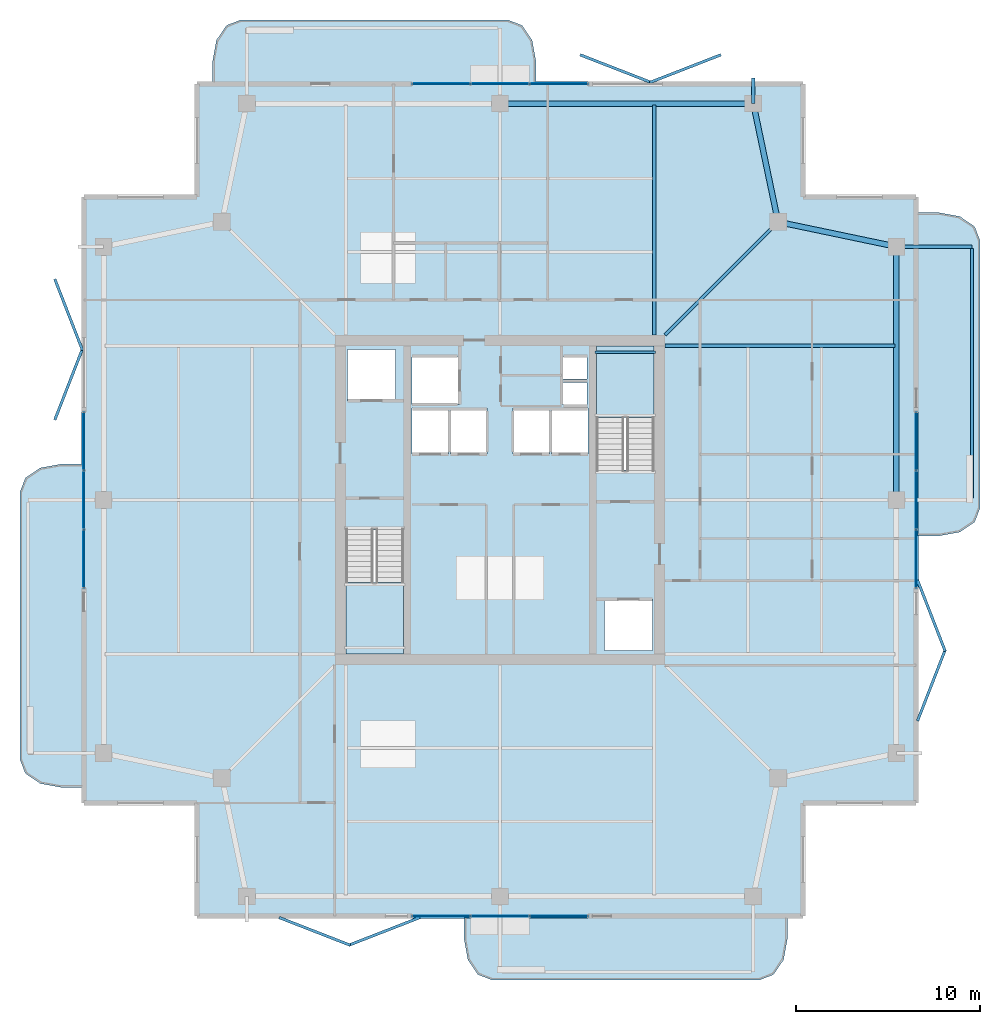
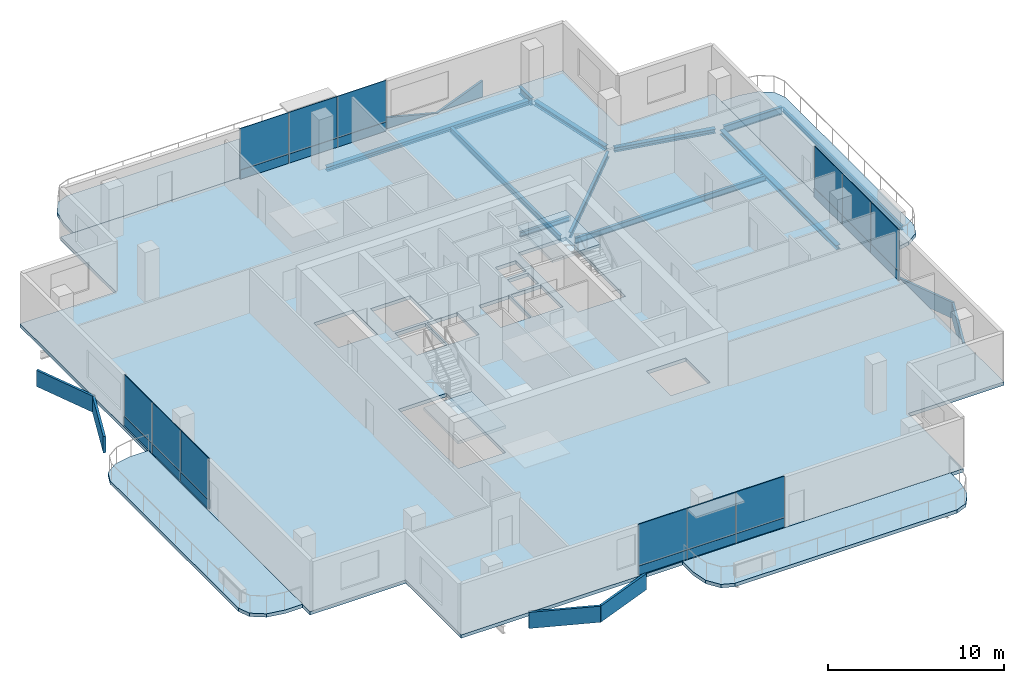
# One storey, part 11 of 18: 32 plates, 11 beams, 7 slabs, 6 elements without a shape of their own.
"""IFC4 building model written with IfcOpenShell, lengths in metres."""

from ifc_helpers import new_model, si_unit, direction, frame, origin, origin_2d, place, context, subcontext, project, spatial, polyline, rectangle, i_section, outline, extrude, material, layer, layer_set, material_profile, profile_set, type_object, element, aggregate, save


model = new_model("IFC4")

# Units and contexts
model_context = context("Model", 3, precision=1e-05, world=origin(), true_north=direction((0.0, 1.0)))
body_context = subcontext(model_context, "Body", "Model", "MODEL_VIEW")
ifc_project = project(units=[si_unit("LENGTHUNIT", "METRE"), si_unit("AREAUNIT", "SQUARE_METRE"), si_unit("VOLUMEUNIT", "CUBIC_METRE"), si_unit("PLANEANGLEUNIT", "RADIAN"), si_unit("MASSUNIT", "GRAM", prefix="KILO")], contexts=[model_context])

# Site, building, storey
site_placement = place(None, origin())
site = spatial("IfcSite", under=ifc_project, at=site_placement, CompositionType="ELEMENT")
building_placement = place(site_placement, origin())
building = spatial("IfcBuilding", under=site, at=building_placement, Name="Belovzor Exchange Tower", CompositionType="ELEMENT")
storey_placement = place(building_placement, frame((0.0, 0.0, 318.0)))
storey = spatial("IfcBuildingStorey", under=building, at=storey_placement, Name="L79", CompositionType="ELEMENT", Elevation=318.0)

# Beams
ifc_material_1 = material(Name="Steel S355", Category="steel")
ifc_material_profile_1 = material_profile(ifc_material_1, i_section(OverallWidth=0.199951171875, OverallDepth=0.5, WebThickness=0.01025390625, FlangeThickness=0.01611328125, at=origin_2d()))
ifc_profile_set_1 = profile_set([ifc_material_profile_1], Name="Steel S355")
beam_type_1 = type_object("IfcBeamType", Name="Planted Balcony Cantilever Beam IPE 500", PredefinedType="BEAM", material=ifc_profile_set_1)
beam_1_placement = place(storey_placement, frame((50.660888671875, 42.60009765625, -0.489990234375), z_axis=(1.0, 0.0, 0.0), x_axis=(0.0, 1.0, 0.0)))
element("IfcBeam", 1, at=beam_1_placement, inside=storey, type_object=beam_type_1, Name="BC-500 Planted Balcony Cantilever Beam IPE 500", PredefinedType="BEAM", context=body_context, shape_type="SweptSolid", body=[
    extrude(i_section(OverallWidth=0.199951171875, OverallDepth=0.5, WebThickness=0.01025390625, FlangeThickness=0.01611328125, at=origin_2d()), origin(), (0.0, 0.0, 1.0), 3.85009765625),
])
beam_2_placement = place(storey_placement, frame((42.60009765625, 50.39990234375, -0.489990234375), z_axis=(0.0, 1.0, 0.0), x_axis=(-1.0, 0.0, 0.0)))
element("IfcBeam", 2, at=beam_2_placement, inside=storey, type_object=beam_type_1, Name="BC-500 Planted Balcony Cantilever Beam IPE 500", PredefinedType="BEAM", context=body_context, shape_type="SweptSolid", body=[
    extrude(i_section(OverallWidth=0.199951171875, OverallDepth=0.5, WebThickness=0.01025390625, FlangeThickness=0.01611328125, at=origin_2d()), origin(), (0.0, 0.0, 1.0), 1.400146484375),
])
ifc_material_2 = material(Name="Steel S355", Category="steel")
ifc_material_profile_2 = material_profile(ifc_material_2, i_section(OverallWidth=0.14990234375, OverallDepth=0.300048828125, WebThickness=0.007080078125, FlangeThickness=0.0107421875, at=origin_2d()))
ifc_profile_set_2 = profile_set([ifc_material_profile_2], Name="Steel S355")
beam_type_2 = type_object("IfcBeamType", Name="Planted Balcony Fascia Edge Beam IPE 300", PredefinedType="BEAM", material=ifc_profile_set_2)
beam_3_placement = place(storey_placement, frame((54.510986328125, 28.89990234375, -0.389892578125), z_axis=(0.0, 1.0, 0.0), x_axis=(-1.0, 0.0, 0.0)))
element("IfcBeam", 3, at=beam_3_placement, inside=storey, type_object=beam_type_2, Name="BC-300 Planted Balcony Fascia Edge Beam IPE 300", PredefinedType="BEAM", context=body_context, shape_type="SweptSolid", body=[
    extrude(i_section(OverallWidth=0.14990234375, OverallDepth=0.300048828125, WebThickness=0.007080078125, FlangeThickness=0.0107421875, at=origin_2d()), origin(), (0.0, 0.0, 1.0), 13.60009765625),
])
ifc_material_3 = material(Name="Steel S355", Category="steel")
ifc_material_profile_3 = material_profile(ifc_material_3, i_section(OverallWidth=0.14990234375, OverallDepth=0.300048828125, WebThickness=0.007080078125, FlangeThickness=0.0107421875, at=origin_2d()))
ifc_profile_set_3 = profile_set([ifc_material_profile_3], Name="Steel S355")
beam_type_3 = type_object("IfcBeamType", Name="Secondary Trim Floor Joist IPE 300", PredefinedType="BEAM", material=ifc_profile_set_3)
beam_4_placement = place(storey_placement, frame((37.280029296875, 36.85009765625, 1.52490234375), z_axis=(-1.0, 0.0, 0.0), x_axis=(0.0, -1.0, 0.0)))
element("IfcBeam", 4, at=beam_4_placement, inside=storey, type_object=beam_type_3, Name="FJ-300 Secondary Trim Floor Joist IPE 300", PredefinedType="BEAM", context=body_context, shape_type="SweptSolid", body=[
    extrude(i_section(OverallWidth=0.14990234375, OverallDepth=0.300048828125, WebThickness=0.007080078125, FlangeThickness=0.0107421875, at=origin_2d()), origin(), (0.0, 0.0, 1.0), 3.31005859375),
])
ifc_material_4 = material(Name="Steel S355", Category="steel")
ifc_material_profile_4 = material_profile(ifc_material_4, i_section(OverallWidth=0.179931640625, OverallDepth=0.39990234375, WebThickness=0.008544921875, FlangeThickness=0.013427734375, at=origin_2d()))
ifc_profile_set_4 = profile_set([ifc_material_profile_4], Name="Steel S355")
beam_type_4 = type_object("IfcBeamType", Name="Zone 5-6 Radial Composite Floor Beam IPE 400", PredefinedType="BEAM", material=ifc_profile_set_4)
for number, where, z_axis, x_axis, name in (
    (5, (37.199951171875, 37.800048828125, -0.43994140625), (0.0, 1.0, 0.0), (-1.0, 0.0, 0.0), "FB-400 Zone 5-6 Radial Composite Floor Beam IPE 400"),
    (6, (37.800048828125, 37.199951171875, -0.43994140625), (1.0, 0.0, 0.0), (0.0, 1.0, 0.0), "FB-400 Zone 5-6 Radial Composite Floor Beam IPE 400"),
):
    element("IfcBeam", number, at=place(storey_placement, frame(where, z_axis=z_axis, x_axis=x_axis)), inside=storey, type_object=beam_type_4, Name=name, PredefinedType="BEAM", context=body_context, shape_type="SweptSolid", body=[
        extrude(i_section(OverallWidth=0.179931640625, OverallDepth=0.39990234375, WebThickness=0.008544921875, FlangeThickness=0.013427734375, at=origin_2d()), origin(), (0.0, 0.0, 1.0), 12.52490234375),
    ])
beam_5_placement = place(storey_placement, frame((37.800048828125, 37.800048828125, -0.43994140625), z_axis=(0.707106781187, 0.707106781187, 0.0), x_axis=(-0.707106781187, 0.707106781187, 0.0)))
element("IfcBeam", 7, at=beam_5_placement, inside=storey, type_object=beam_type_4, Name="FB-400 Zone 5-6 Radial Composite Floor Beam IPE 400", PredefinedType="BEAM", context=body_context, shape_type="SweptSolid", body=[
    extrude(i_section(OverallWidth=0.179931640625, OverallDepth=0.39990234375, WebThickness=0.008544921875, FlangeThickness=0.013427734375, at=origin_2d()), origin(), (0.0, 0.0, 1.0), 8.362060546875),
])
ifc_material_5 = material(Name="Steel S355", Category="steel")
ifc_material_profile_5 = material_profile(ifc_material_5, i_section(OverallWidth=0.300048828125, OverallDepth=0.300048828125, WebThickness=0.008544921875, FlangeThickness=0.013916015625, at=origin_2d()))
ifc_profile_set_5 = profile_set([ifc_material_profile_5], Name="Steel S355")
beam_type_5 = type_object("IfcBeamType", Name="Zone 6 Primary Girder HEA 300", PredefinedType="BEAM", material=ifc_profile_set_5)
beam_6_placement = place(storey_placement, frame((50.39990234375, 29.06103515625, -0.389892578125), z_axis=(0.0, 1.0, 0.0), x_axis=(-1.0, 0.0, 0.0)))
element("IfcBeam", 8, at=beam_6_placement, inside=storey, type_object=beam_type_5, Name="FG-Z6 Zone 6 Primary Girder HEA 300", PredefinedType="BEAM", context=body_context, shape_type="SweptSolid", body=[
    extrude(i_section(OverallWidth=0.300048828125, OverallDepth=0.300048828125, WebThickness=0.008544921875, FlangeThickness=0.013916015625, at=origin_2d()), origin(), (0.0, 0.0, 1.0), 13.278076171875),
])
for number, where, z_axis, x_axis, name in (
    (9, (50.14404296875, 42.654052734375, -0.389892578125), (-0.978820078908, 0.204722380619, 0.0), (-0.204722380619, -0.978820078908, 0.0), "FG-Z6 Zone 6 Primary Girder HEA 300"),
    (10, (43.89599609375, 44.2060546875, -0.389892578125), (-0.204722380619, 0.978820078908, 0.0), (-0.978820078908, -0.204722380619, 0.0), "FG-Z6 Zone 6 Primary Girder HEA 300"),
):
    element("IfcBeam", number, at=place(storey_placement, frame(where, z_axis=z_axis, x_axis=x_axis)), inside=storey, type_object=beam_type_5, Name=name, PredefinedType="BEAM", context=body_context, shape_type="SweptSolid", body=[
        extrude(i_section(OverallWidth=0.300048828125, OverallDepth=0.300048828125, WebThickness=0.008544921875, FlangeThickness=0.013916015625, at=origin_2d()), origin(), (0.0, 0.0, 1.0), 6.06640625),
    ])
beam_7_placement = place(storey_placement, frame((42.339111328125, 50.39990234375, -0.389892578125), z_axis=(-1.0, 0.0, 0.0), x_axis=(0.0, -1.0, 0.0)))
element("IfcBeam", 11, at=beam_7_placement, inside=storey, type_object=beam_type_5, Name="FG-Z6 Zone 6 Primary Girder HEA 300", PredefinedType="BEAM", context=body_context, shape_type="SweptSolid", body=[
    extrude(i_section(OverallWidth=0.300048828125, OverallDepth=0.300048828125, WebThickness=0.008544921875, FlangeThickness=0.013916015625, at=origin_2d()), origin(), (0.0, 0.0, 1.0), 13.278076171875),
])

# Slab
ifc_material_6 = material(Name="Concrete C40/50", Category="concrete")
ifc_layer_1 = layer(ifc_material_6, 0.239990234375)
ifc_layer_set_1 = layer_set([ifc_layer_1], Name="Concrete C40/50")
slab_type_1 = type_object("IfcSlabType", Name="Composite High-Rise Floor Deck Slab 240", PredefinedType="FLOOR", material=ifc_layer_set_1)
slab_1_placement = place(storey_placement, frame((0.0, 0.0, -0.239990234375)))
element("IfcSlab", 12, at=slab_1_placement, inside=storey, type_object=slab_type_1, Name="SL-F240 Structural Slab L79", PredefinedType="FLOOR", context=body_context, shape_type="SweptSolid", body=[
    extrude(outline(polyline([(12.300048828125, 6.0), (45.300048828125, 6.0), (45.300048828125, 12.300048828125), (51.60009765625, 12.300048828125), (51.60009765625, 45.300048828125), (45.300048828125, 45.300048828125), (45.300048828125, 51.60009765625), (12.300048828125, 51.60009765625), (12.300048828125, 45.300048828125), (6.0, 45.300048828125), (6.0, 12.300048828125), (12.300048828125, 12.300048828125), (12.300048828125, 6.0)]), holes=[polyline([(20.39990234375, 27.175048828125), (20.39990234375, 20.39990234375), (23.550048828125, 20.39990234375), (23.550048828125, 27.175048828125), (20.39990234375, 27.175048828125)]), polyline([(37.199951171875, 30.425048828125), (37.199951171875, 37.199951171875), (34.050048828125, 37.199951171875), (34.050048828125, 30.425048828125), (37.199951171875, 30.425048828125)]), polyline([(20.5, 34.199951171875), (23.10009765625, 34.199951171875), (23.10009765625, 37.0), (20.5, 37.0), (20.5, 34.199951171875)]), polyline([(34.5, 20.60009765625), (37.10009765625, 20.60009765625), (37.10009765625, 23.39990234375), (34.5, 23.39990234375), (34.5, 20.60009765625)]), polyline([(24.0, 34.0), (26.60009765625, 34.0), (26.60009765625, 36.60009765625), (24.0, 36.60009765625), (24.0, 34.0)]), polyline([(24.0, 31.300048828125), (26.0, 31.300048828125), (26.0, 33.800048828125), (24.0, 33.800048828125), (24.0, 31.300048828125)]), polyline([(26.10009765625, 31.300048828125), (28.10009765625, 31.300048828125), (28.10009765625, 33.800048828125), (26.10009765625, 33.800048828125), (26.10009765625, 31.300048828125)]), polyline([(29.5, 31.300048828125), (31.5, 31.300048828125), (31.5, 33.800048828125), (29.5, 33.800048828125), (29.5, 31.300048828125)]), polyline([(31.60009765625, 31.300048828125), (33.60009765625, 31.300048828125), (33.60009765625, 33.800048828125), (31.60009765625, 33.800048828125), (31.60009765625, 31.300048828125)]), polyline([(32.199951171875, 34.0), (33.550048828125, 34.0), (33.550048828125, 35.199951171875), (32.199951171875, 35.199951171875), (32.199951171875, 34.0)]), polyline([(32.199951171875, 35.39990234375), (33.550048828125, 35.39990234375), (33.550048828125, 36.60009765625), (32.199951171875, 36.60009765625), (32.199951171875, 35.39990234375)])]), origin(), (0.0, 0.0, 1.0), 0.239990234375),
])

# Curtain wall, plates
ifc_material_7 = material(Name="Anodised Aluminium Framing", Category="aluminium")
ifc_layer_2 = layer(ifc_material_7, 0.179931640625)
ifc_layer_set_2 = layer_set([ifc_layer_2], Name="Anodised Aluminium Framing")
curtain_wall_type = type_object("IfcCurtainWallType", Name="Recessed Loggia Low-Iron Triple-Glazed Curtain Wall", PredefinedType="NOTDEFINED", material=ifc_layer_set_2)
curtain_wall_1_placement = place(storey_placement, origin())
curtain_wall_1 = element("IfcCurtainWall", 13, at=curtain_wall_1_placement, inside=storey, type_object=curtain_wall_type, Name="CW3 Recessed Loggia Low-Iron Triple-Glazed Curtain Wall L79", PredefinedType="NOTDEFINED")
ifc_material_8 = material(Name="Solar-Control Triple Glazing", Category="glass")
ifc_layer_3 = layer(ifc_material_8, 0.0439453125)
ifc_layer_set_3 = layer_set([ifc_layer_3], Name="Solar-Control Triple Glazing")
plate_type_1 = type_object("IfcPlateType", Name="Insulated Solar Glazing Curtain Panel 44", PredefinedType="CURTAIN_PANEL", material=ifc_layer_set_3)
plate_1_placement = place(storey_placement, frame((32.0, 6.1298828125, 0.634033203125), z_axis=(0.0, 0.0, 1.0), x_axis=(-1.0, 0.0, 0.0)))
plate_1 = element("IfcPlate", 14, at=plate_1_placement, type_object=plate_type_1, Name="GLZ-44 Glazed Curtain Panel 1", PredefinedType="CURTAIN_PANEL", context=body_context, shape_type="SweptSolid", body=[
    extrude(rectangle(XDim=3.18408203125, YDim=0.0439453125, at=origin_2d()), origin(), (0.0, 0.0, 1.0), 2.8759765625),
])
plate_2_placement = place(storey_placement, frame((28.800048828125, 6.1298828125, 0.634033203125), z_axis=(0.0, 0.0, 1.0), x_axis=(-1.0, 0.0, 0.0)))
plate_2 = element("IfcPlate", 15, at=plate_2_placement, type_object=plate_type_1, Name="GLZ-44 Glazed Curtain Panel 2", PredefinedType="CURTAIN_PANEL", context=body_context, shape_type="SweptSolid", body=[
    extrude(rectangle(XDim=3.18408203125, YDim=0.0439453125, at=origin_2d()), origin(), (0.0, 0.0, 1.0), 2.8759765625),
])
plate_3_placement = place(storey_placement, frame((25.60009765625, 6.1298828125, 0.634033203125), z_axis=(0.0, 0.0, 1.0), x_axis=(-1.0, 0.0, 0.0)))
plate_3 = element("IfcPlate", 16, at=plate_3_placement, type_object=plate_type_1, Name="GLZ-44 Glazed Curtain Panel 3", PredefinedType="CURTAIN_PANEL", context=body_context, shape_type="SweptSolid", body=[
    extrude(rectangle(XDim=3.18408203125, YDim=0.0439453125, at=origin_2d()), origin(), (0.0, 0.0, 1.0), 2.8759765625),
])

curtain_wall_2_placement = place(storey_placement, origin())
curtain_wall_2 = element("IfcCurtainWall", 17, at=curtain_wall_2_placement, inside=storey, type_object=curtain_wall_type, Name="CW3 Recessed Loggia Low-Iron Triple-Glazed Curtain Wall L79", PredefinedType="NOTDEFINED")
plate_4_placement = place(storey_placement, frame((25.60009765625, 51.469970703125, 0.634033203125), z_axis=(0.0, 0.0, 1.0), x_axis=(1.0, 0.0, 0.0)))
plate_4 = element("IfcPlate", 18, at=plate_4_placement, type_object=plate_type_1, Name="GLZ-44 Glazed Curtain Panel 1", PredefinedType="CURTAIN_PANEL", context=body_context, shape_type="SweptSolid", body=[
    extrude(rectangle(XDim=3.18408203125, YDim=0.0439453125, at=origin_2d()), origin(), (0.0, 0.0, 1.0), 2.8759765625),
])
plate_5_placement = place(storey_placement, frame((28.800048828125, 51.469970703125, 0.634033203125), z_axis=(0.0, 0.0, 1.0), x_axis=(1.0, 0.0, 0.0)))
plate_5 = element("IfcPlate", 19, at=plate_5_placement, type_object=plate_type_1, Name="GLZ-44 Glazed Curtain Panel 2", PredefinedType="CURTAIN_PANEL", context=body_context, shape_type="SweptSolid", body=[
    extrude(rectangle(XDim=3.18408203125, YDim=0.0439453125, at=origin_2d()), origin(), (0.0, 0.0, 1.0), 2.8759765625),
])
plate_6_placement = place(storey_placement, frame((32.0, 51.469970703125, 0.634033203125), z_axis=(0.0, 0.0, 1.0), x_axis=(1.0, 0.0, 0.0)))
plate_6 = element("IfcPlate", 20, at=plate_6_placement, type_object=plate_type_1, Name="GLZ-44 Glazed Curtain Panel 3", PredefinedType="CURTAIN_PANEL", context=body_context, shape_type="SweptSolid", body=[
    extrude(rectangle(XDim=3.18408203125, YDim=0.0439453125, at=origin_2d()), origin(), (0.0, 0.0, 1.0), 2.8759765625),
])

curtain_wall_3_placement = place(storey_placement, origin())
curtain_wall_3 = element("IfcCurtainWall", 21, at=curtain_wall_3_placement, inside=storey, type_object=curtain_wall_type, Name="CW3 Recessed Loggia Low-Iron Triple-Glazed Curtain Wall L79", PredefinedType="NOTDEFINED")
plate_7_placement = place(storey_placement, frame((6.1298828125, 25.60009765625, 0.634033203125), z_axis=(0.0, 0.0, 1.0), x_axis=(0.0, 1.0, 0.0)))
plate_7 = element("IfcPlate", 22, at=plate_7_placement, type_object=plate_type_1, Name="GLZ-44 Glazed Curtain Panel 1", PredefinedType="CURTAIN_PANEL", context=body_context, shape_type="SweptSolid", body=[
    extrude(rectangle(XDim=3.18408203125, YDim=0.0439453125, at=origin_2d()), origin(), (0.0, 0.0, 1.0), 2.8759765625),
])
plate_8_placement = place(storey_placement, frame((6.1298828125, 28.800048828125, 0.634033203125), z_axis=(0.0, 0.0, 1.0), x_axis=(0.0, 1.0, 0.0)))
plate_8 = element("IfcPlate", 23, at=plate_8_placement, type_object=plate_type_1, Name="GLZ-44 Glazed Curtain Panel 2", PredefinedType="CURTAIN_PANEL", context=body_context, shape_type="SweptSolid", body=[
    extrude(rectangle(XDim=3.18408203125, YDim=0.0439453125, at=origin_2d()), origin(), (0.0, 0.0, 1.0), 2.8759765625),
])
plate_9_placement = place(storey_placement, frame((6.1298828125, 32.0, 0.634033203125), z_axis=(0.0, 0.0, 1.0), x_axis=(0.0, 1.0, 0.0)))
plate_9 = element("IfcPlate", 24, at=plate_9_placement, type_object=plate_type_1, Name="GLZ-44 Glazed Curtain Panel 3", PredefinedType="CURTAIN_PANEL", context=body_context, shape_type="SweptSolid", body=[
    extrude(rectangle(XDim=3.18408203125, YDim=0.0439453125, at=origin_2d()), origin(), (0.0, 0.0, 1.0), 2.8759765625),
])

curtain_wall_4_placement = place(storey_placement, origin())
curtain_wall_4 = element("IfcCurtainWall", 25, at=curtain_wall_4_placement, inside=storey, type_object=curtain_wall_type, Name="CW3 Recessed Loggia Low-Iron Triple-Glazed Curtain Wall L79", PredefinedType="NOTDEFINED")
plate_10_placement = place(storey_placement, frame((51.469970703125, 32.0, 0.634033203125), z_axis=(0.0, 0.0, 1.0), x_axis=(0.0, -1.0, 0.0)))
plate_10 = element("IfcPlate", 26, at=plate_10_placement, type_object=plate_type_1, Name="GLZ-44 Glazed Curtain Panel 1", PredefinedType="CURTAIN_PANEL", context=body_context, shape_type="SweptSolid", body=[
    extrude(rectangle(XDim=3.18408203125, YDim=0.0439453125, at=origin_2d()), origin(), (0.0, 0.0, 1.0), 2.8759765625),
])
plate_11_placement = place(storey_placement, frame((51.469970703125, 28.800048828125, 0.634033203125), z_axis=(0.0, 0.0, 1.0), x_axis=(0.0, -1.0, 0.0)))
plate_11 = element("IfcPlate", 27, at=plate_11_placement, type_object=plate_type_1, Name="GLZ-44 Glazed Curtain Panel 2", PredefinedType="CURTAIN_PANEL", context=body_context, shape_type="SweptSolid", body=[
    extrude(rectangle(XDim=3.18408203125, YDim=0.0439453125, at=origin_2d()), origin(), (0.0, 0.0, 1.0), 2.8759765625),
])
plate_12_placement = place(storey_placement, frame((51.469970703125, 25.60009765625, 0.634033203125), z_axis=(0.0, 0.0, 1.0), x_axis=(0.0, -1.0, 0.0)))
plate_12 = element("IfcPlate", 28, at=plate_12_placement, type_object=plate_type_1, Name="GLZ-44 Glazed Curtain Panel 3", PredefinedType="CURTAIN_PANEL", context=body_context, shape_type="SweptSolid", body=[
    extrude(rectangle(XDim=3.18408203125, YDim=0.0439453125, at=origin_2d()), origin(), (0.0, 0.0, 1.0), 2.8759765625),
])

# Stair, slab
ifc_material_9 = material(Name="Concrete C40/50", Category="concrete")
stair_type = type_object("IfcStairType", Name="Reinforced Concrete Dogleg Escape Stair 1350", PredefinedType="HALF_TURN_STAIR", material=ifc_material_9)
stair_1_placement = place(storey_placement, origin())
stair_1 = element("IfcStair", 29, at=stair_1_placement, inside=storey, type_object=stair_type, Name="L79 ST-1", PredefinedType="HALF_TURN_STAIR")
ifc_material_10 = material(Name="Concrete C40/50", Category="concrete")
ifc_layer_4 = layer(ifc_material_10, 0.199951171875)
ifc_layer_set_4 = layer_set([ifc_layer_4], Name="Concrete C40/50")
slab_type_2 = type_object("IfcSlabType", Name="Reinforced Concrete Stair Half-Landing Slab 200", PredefinedType="LANDING", material=ifc_layer_set_4)
slab_2_placement = place(storey_placement, frame((0.0, 0.0, 1.675048828125)))
slab_2 = element("IfcSlab", 30, at=slab_2_placement, type_object=slab_type_2, Name="ST-1 landing 1", PredefinedType="LANDING", context=body_context, shape_type="SweptSolid", body=[
    extrude(outline(polyline([(20.39990234375, 24.300048828125), (20.39990234375, 20.39990234375), (23.550048828125, 20.39990234375), (23.550048828125, 24.300048828125), (20.39990234375, 24.300048828125)])), origin(), (0.0, 0.0, 1.0), 0.199951171875),
])
aggregate(stair_1, [slab_2])

stair_2_placement = place(storey_placement, origin())
stair_2 = element("IfcStair", 31, at=stair_2_placement, inside=storey, type_object=stair_type, Name="L79 ST-2", PredefinedType="HALF_TURN_STAIR")
slab_3_placement = place(storey_placement, frame((0.0, 0.0, 1.675048828125)))
slab_3 = element("IfcSlab", 32, at=slab_3_placement, type_object=slab_type_2, Name="ST-2 landing 1", PredefinedType="LANDING", context=body_context, shape_type="SweptSolid", body=[
    extrude(outline(polyline([(37.199951171875, 33.300048828125), (37.199951171875, 37.199951171875), (34.050048828125, 37.199951171875), (34.050048828125, 33.300048828125), (37.199951171875, 33.300048828125)])), origin(), (0.0, 0.0, 1.0), 0.199951171875),
])
aggregate(stair_2, [slab_3])

# Plate
ifc_material_11 = material(Name="Extruded Architectural Terracotta", Category="masonry")
ifc_layer_5 = layer(ifc_material_11, 0.090087890625)
ifc_layer_set_5 = layer_set([ifc_layer_5], Name="Extruded Architectural Terracotta")
plate_type_2 = type_object("IfcPlateType", Name="Terracotta Shadow-Box Spandrel Panel 90", PredefinedType="CURTAIN_PANEL", material=ifc_layer_set_5)
plate_13_placement = place(storey_placement, frame((32.0, 6.1298828125, 0.0), z_axis=(0.0, 0.0, 1.0), x_axis=(-1.0, 0.0, 0.0)))
plate_13 = element("IfcPlate", 33, at=plate_13_placement, type_object=plate_type_2, Name="SPD-90 Spandrel Panel 1", PredefinedType="CURTAIN_PANEL", context=body_context, shape_type="SweptSolid", body=[
    extrude(rectangle(XDim=3.18408203125, YDim=0.090087890625, at=origin_2d()), origin(), (0.0, 0.0, 1.0), 0.6298828125),
])

plate_14_placement = place(storey_placement, frame((28.800048828125, 6.1298828125, 0.0), z_axis=(0.0, 0.0, 1.0), x_axis=(-1.0, 0.0, 0.0)))
plate_14 = element("IfcPlate", 34, at=plate_14_placement, type_object=plate_type_2, Name="SPD-90 Spandrel Panel 2", PredefinedType="CURTAIN_PANEL", context=body_context, shape_type="SweptSolid", body=[
    extrude(rectangle(XDim=3.18408203125, YDim=0.090087890625, at=origin_2d()), origin(), (0.0, 0.0, 1.0), 0.6298828125),
])

plate_15_placement = place(storey_placement, frame((25.60009765625, 6.1298828125, 0.0), z_axis=(0.0, 0.0, 1.0), x_axis=(-1.0, 0.0, 0.0)))
plate_15 = element("IfcPlate", 35, at=plate_15_placement, type_object=plate_type_2, Name="SPD-90 Spandrel Panel 3", PredefinedType="CURTAIN_PANEL", context=body_context, shape_type="SweptSolid", body=[
    extrude(rectangle(XDim=3.18408203125, YDim=0.090087890625, at=origin_2d()), origin(), (0.0, 0.0, 1.0), 0.6298828125),
])

aggregate(curtain_wall_1, [plate_13, plate_1, plate_14, plate_2, plate_15, plate_3])

plate_16_placement = place(storey_placement, frame((25.60009765625, 51.469970703125, 0.0), z_axis=(0.0, 0.0, 1.0), x_axis=(1.0, 0.0, 0.0)))
plate_16 = element("IfcPlate", 36, at=plate_16_placement, type_object=plate_type_2, Name="SPD-90 Spandrel Panel 1", PredefinedType="CURTAIN_PANEL", context=body_context, shape_type="SweptSolid", body=[
    extrude(rectangle(XDim=3.18408203125, YDim=0.090087890625, at=origin_2d()), origin(), (0.0, 0.0, 1.0), 0.6298828125),
])

plate_17_placement = place(storey_placement, frame((28.800048828125, 51.469970703125, 0.0), z_axis=(0.0, 0.0, 1.0), x_axis=(1.0, 0.0, 0.0)))
plate_17 = element("IfcPlate", 37, at=plate_17_placement, type_object=plate_type_2, Name="SPD-90 Spandrel Panel 2", PredefinedType="CURTAIN_PANEL", context=body_context, shape_type="SweptSolid", body=[
    extrude(rectangle(XDim=3.18408203125, YDim=0.090087890625, at=origin_2d()), origin(), (0.0, 0.0, 1.0), 0.6298828125),
])

plate_18_placement = place(storey_placement, frame((32.0, 51.469970703125, 0.0), z_axis=(0.0, 0.0, 1.0), x_axis=(1.0, 0.0, 0.0)))
plate_18 = element("IfcPlate", 38, at=plate_18_placement, type_object=plate_type_2, Name="SPD-90 Spandrel Panel 3", PredefinedType="CURTAIN_PANEL", context=body_context, shape_type="SweptSolid", body=[
    extrude(rectangle(XDim=3.18408203125, YDim=0.090087890625, at=origin_2d()), origin(), (0.0, 0.0, 1.0), 0.6298828125),
])

aggregate(curtain_wall_2, [plate_16, plate_4, plate_17, plate_5, plate_18, plate_6])

plate_19_placement = place(storey_placement, frame((6.1298828125, 25.60009765625, 0.0), z_axis=(0.0, 0.0, 1.0), x_axis=(0.0, 1.0, 0.0)))
plate_19 = element("IfcPlate", 39, at=plate_19_placement, type_object=plate_type_2, Name="SPD-90 Spandrel Panel 1", PredefinedType="CURTAIN_PANEL", context=body_context, shape_type="SweptSolid", body=[
    extrude(rectangle(XDim=3.18408203125, YDim=0.090087890625, at=origin_2d()), origin(), (0.0, 0.0, 1.0), 0.6298828125),
])

plate_20_placement = place(storey_placement, frame((6.1298828125, 28.800048828125, 0.0), z_axis=(0.0, 0.0, 1.0), x_axis=(0.0, 1.0, 0.0)))
plate_20 = element("IfcPlate", 40, at=plate_20_placement, type_object=plate_type_2, Name="SPD-90 Spandrel Panel 2", PredefinedType="CURTAIN_PANEL", context=body_context, shape_type="SweptSolid", body=[
    extrude(rectangle(XDim=3.18408203125, YDim=0.090087890625, at=origin_2d()), origin(), (0.0, 0.0, 1.0), 0.6298828125),
])

plate_21_placement = place(storey_placement, frame((6.1298828125, 32.0, 0.0), z_axis=(0.0, 0.0, 1.0), x_axis=(0.0, 1.0, 0.0)))
plate_21 = element("IfcPlate", 41, at=plate_21_placement, type_object=plate_type_2, Name="SPD-90 Spandrel Panel 3", PredefinedType="CURTAIN_PANEL", context=body_context, shape_type="SweptSolid", body=[
    extrude(rectangle(XDim=3.18408203125, YDim=0.090087890625, at=origin_2d()), origin(), (0.0, 0.0, 1.0), 0.6298828125),
])

aggregate(curtain_wall_3, [plate_19, plate_7, plate_20, plate_8, plate_21, plate_9])

plate_22_placement = place(storey_placement, frame((51.469970703125, 32.0, 0.0), z_axis=(0.0, 0.0, 1.0), x_axis=(0.0, -1.0, 0.0)))
plate_22 = element("IfcPlate", 42, at=plate_22_placement, type_object=plate_type_2, Name="SPD-90 Spandrel Panel 1", PredefinedType="CURTAIN_PANEL", context=body_context, shape_type="SweptSolid", body=[
    extrude(rectangle(XDim=3.18408203125, YDim=0.090087890625, at=origin_2d()), origin(), (0.0, 0.0, 1.0), 0.6298828125),
])

plate_23_placement = place(storey_placement, frame((51.469970703125, 28.800048828125, 0.0), z_axis=(0.0, 0.0, 1.0), x_axis=(0.0, -1.0, 0.0)))
plate_23 = element("IfcPlate", 43, at=plate_23_placement, type_object=plate_type_2, Name="SPD-90 Spandrel Panel 2", PredefinedType="CURTAIN_PANEL", context=body_context, shape_type="SweptSolid", body=[
    extrude(rectangle(XDim=3.18408203125, YDim=0.090087890625, at=origin_2d()), origin(), (0.0, 0.0, 1.0), 0.6298828125),
])

plate_24_placement = place(storey_placement, frame((51.469970703125, 25.60009765625, 0.0), z_axis=(0.0, 0.0, 1.0), x_axis=(0.0, -1.0, 0.0)))
plate_24 = element("IfcPlate", 44, at=plate_24_placement, type_object=plate_type_2, Name="SPD-90 Spandrel Panel 3", PredefinedType="CURTAIN_PANEL", context=body_context, shape_type="SweptSolid", body=[
    extrude(rectangle(XDim=3.18408203125, YDim=0.090087890625, at=origin_2d()), origin(), (0.0, 0.0, 1.0), 0.6298828125),
])

aggregate(curtain_wall_4, [plate_22, plate_10, plate_23, plate_11, plate_24, plate_12])

# Slabs
ifc_material_12 = material(Name="Concrete C40/50", Category="concrete")
ifc_layer_6 = layer(ifc_material_12, 0.239990234375)
ifc_layer_set_6 = layer_set([ifc_layer_6], Name="Concrete C40/50")
slab_type_3 = type_object("IfcSlabType", Name="Thermally Broken Upper Balcony Slab 240", PredefinedType="FLOOR", material=ifc_layer_set_6)
slab_4_placement = place(storey_placement, frame((0.0, 0.0, -0.239990234375)))
element("IfcSlab", 45, at=slab_4_placement, inside=storey, type_object=slab_type_3, Name="SL-BAL220 Planted Balcony Loggia L79 South", PredefinedType="FLOOR", context=body_context, shape_type="SweptSolid", body=[
    extrude(outline(polyline([(26.85009765625, 6.014892578125), (26.85009765625, 4.85009765625), (27.051025390625, 3.75), (27.60009765625, 2.945068359375), (28.35009765625, 2.64990234375), (42.949951171875, 2.64990234375), (43.699951171875, 2.945068359375), (44.2490234375, 3.75), (44.449951171875, 4.85009765625), (44.449951171875, 6.014892578125), (26.85009765625, 6.014892578125)])), origin(), (0.0, 0.0, 1.0), 0.239990234375),
])
slab_5_placement = place(storey_placement, frame((0.0, 0.0, -0.239990234375)))
element("IfcSlab", 46, at=slab_5_placement, inside=storey, type_object=slab_type_3, Name="SL-BAL220 Planted Balcony Loggia L79 North", PredefinedType="FLOOR", context=body_context, shape_type="SweptSolid", body=[
    extrude(outline(polyline([(30.75, 51.5849609375), (30.75, 52.75), (30.549072265625, 53.85009765625), (30.0, 54.655029296875), (29.25, 54.949951171875), (14.64990234375, 54.949951171875), (13.89990234375, 54.655029296875), (13.35107421875, 53.85009765625), (13.14990234375, 52.75), (13.14990234375, 51.5849609375), (30.75, 51.5849609375)])), origin(), (0.0, 0.0, 1.0), 0.239990234375),
])
slab_6_placement = place(storey_placement, frame((0.0, 0.0, -0.239990234375)))
element("IfcSlab", 47, at=slab_6_placement, inside=storey, type_object=slab_type_3, Name="SL-BAL220 Planted Balcony Loggia L79 East", PredefinedType="FLOOR", context=body_context, shape_type="SweptSolid", body=[
    extrude(outline(polyline([(51.5849609375, 26.85009765625), (52.75, 26.85009765625), (53.85009765625, 27.051025390625), (54.655029296875, 27.60009765625), (54.949951171875, 28.35009765625), (54.949951171875, 42.949951171875), (54.655029296875, 43.699951171875), (53.85009765625, 44.2490234375), (52.75, 44.449951171875), (51.5849609375, 44.449951171875), (51.5849609375, 26.85009765625)])), origin(), (0.0, 0.0, 1.0), 0.239990234375),
])
slab_7_placement = place(storey_placement, frame((0.0, 0.0, -0.239990234375)))
element("IfcSlab", 48, at=slab_7_placement, inside=storey, type_object=slab_type_3, Name="SL-BAL220 Planted Balcony Loggia L79 West", PredefinedType="FLOOR", context=body_context, shape_type="SweptSolid", body=[
    extrude(outline(polyline([(6.014892578125, 30.75), (4.85009765625, 30.75), (3.75, 30.549072265625), (2.945068359375, 30.0), (2.64990234375, 29.25), (2.64990234375, 14.64990234375), (2.945068359375, 13.89990234375), (3.75, 13.35107421875), (4.85009765625, 13.14990234375), (6.014892578125, 13.14990234375), (6.014892578125, 30.75)])), origin(), (0.0, 0.0, 1.0), 0.239990234375),
])

# Plates
ifc_material_13 = material(Name="Extruded Architectural Terracotta", Category="masonry")
ifc_layer_7 = layer(ifc_material_13, 0.14990234375)
ifc_layer_set_7 = layer_set([ifc_layer_7], Name="Extruded Architectural Terracotta")
plate_type_3 = type_object("IfcPlateType", Name="Upper-Crown Deep Folded Zigzag Terracotta Spandrel Louvre 150", PredefinedType="USERDEFINED", material=ifc_layer_set_7)
for number, where, z_axis, x_axis, name in (
    (49, (18.699951171875, 5.300048828125, -1.10498046875), (0.0, 0.0, 1.0), (0.931817969421, -0.362925986758, 0.0), "LVR-ZZ3 Zigzag Terracotta Spandrel Louvre L79 S1A"),
    (50, (22.5, 5.300048828125, -1.10498046875), (0.0, 0.0, 1.0), (0.931817969421, 0.362925986758, 0.0), "LVR-ZZ3 Zigzag Terracotta Spandrel Louvre L79 S1B"),
    (51, (52.300048828125, 18.699951171875, -1.10498046875), (0.0, 0.0, 1.0), (0.362925986758, 0.931817969421, 0.0), "LVR-ZZ3 Zigzag Terracotta Spandrel Louvre L79 E1A"),
    (52, (52.300048828125, 22.5, -1.10498046875), (0.0, 0.0, 1.0), (-0.362925986758, 0.931817969421, 0.0), "LVR-ZZ3 Zigzag Terracotta Spandrel Louvre L79 E1B"),
    (53, (35.10009765625, 52.300048828125, -1.10498046875), (0.0, 0.0, 1.0), (0.931817969421, -0.362925986758, 0.0), "LVR-ZZ3 Zigzag Terracotta Spandrel Louvre L79 N2A"),
    (54, (38.89990234375, 52.300048828125, -1.10498046875), (0.0, 0.0, 1.0), (0.931817969421, 0.362925986758, 0.0), "LVR-ZZ3 Zigzag Terracotta Spandrel Louvre L79 N2B"),
    (55, (5.300048828125, 35.10009765625, -1.10498046875), (0.0, 0.0, 1.0), (0.362925986758, 0.931817969421, 0.0), "LVR-ZZ3 Zigzag Terracotta Spandrel Louvre L79 W2A"),
    (56, (5.300048828125, 38.89990234375, -1.10498046875), (0.0, 0.0, 1.0), (-0.362925986758, 0.931817969421, 0.0), "LVR-ZZ3 Zigzag Terracotta Spandrel Louvre L79 W2B"),
):
    element("IfcPlate", number, at=place(storey_placement, frame(where, z_axis=z_axis, x_axis=x_axis)), inside=storey, type_object=plate_type_3, Name=name, ObjectType="SPANDREL_LOUVRE", PredefinedType="USERDEFINED", context=body_context, shape_type="SweptSolid", body=[
        extrude(rectangle(XDim=4.157958984375, YDim=0.14990234375, at=origin_2d()), origin(), (0.0, 0.0, 1.0), 1.1201171875),
    ])

save(model, "model.ifc")
